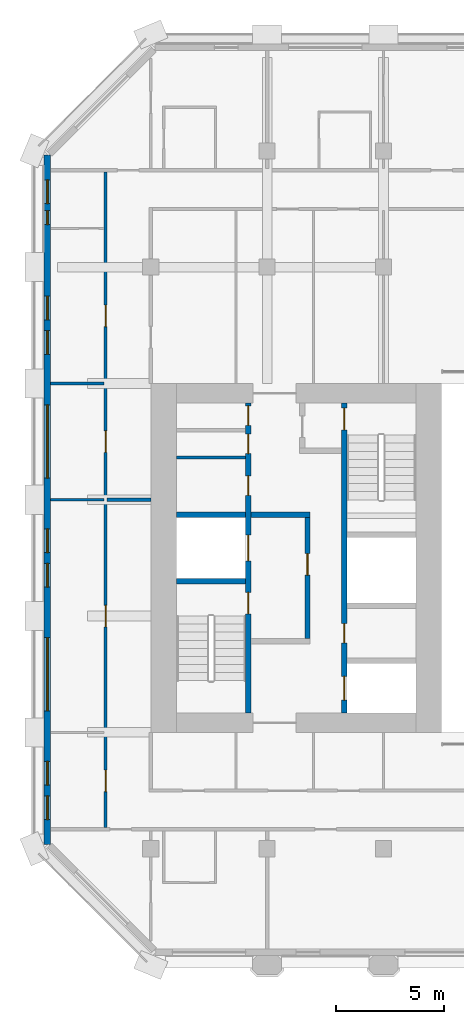
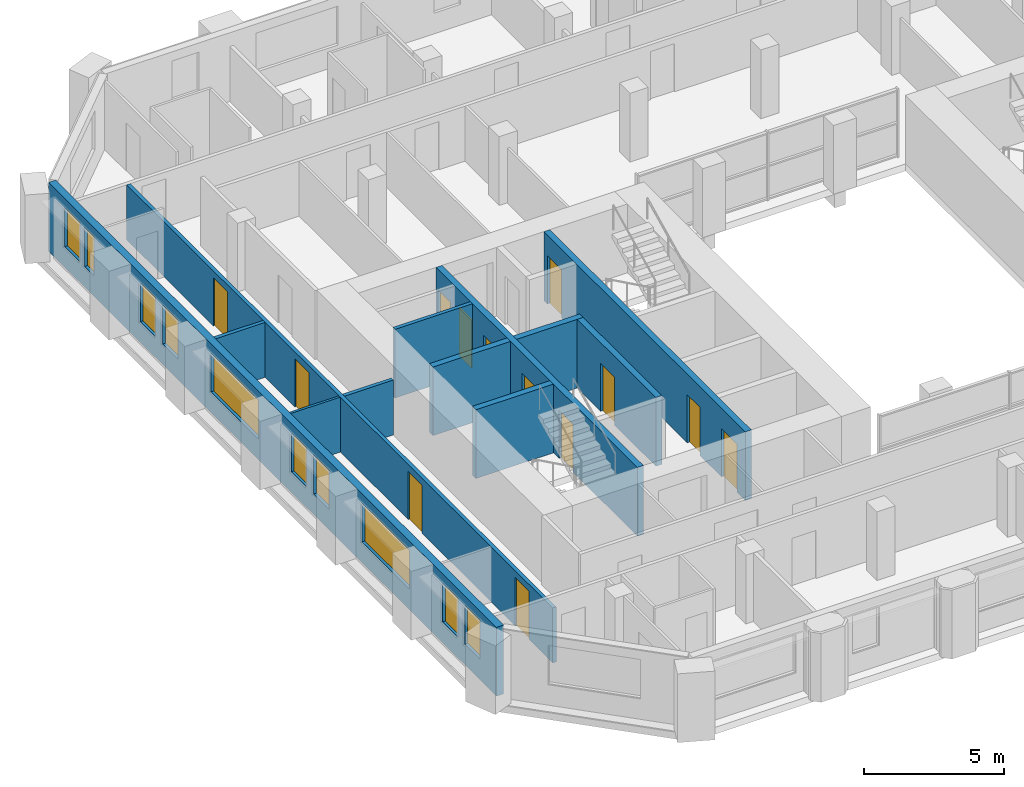
# One storey, part 7 of 14: 13 doors, 12 walls, 10 windows, 23 openings.
"""IFC4 building model written with IfcOpenShell, lengths in metres."""

from ifc_helpers import new_model, si_unit, direction, frame, frame_2d, origin, place, context, subcontext, project, spatial, rectangle, extrude, material, layer, layer_set, type_object, element, fill, save


model = new_model("IFC4")

# Units and contexts
model_context = context("Model", 3, precision=1e-05, world=origin(), true_north=direction((0.0, 1.0)))
body_context = subcontext(model_context, "Body", "Model", "MODEL_VIEW")
ifc_project = project(units=[si_unit("LENGTHUNIT", "METRE"), si_unit("AREAUNIT", "SQUARE_METRE"), si_unit("VOLUMEUNIT", "CUBIC_METRE"), si_unit("PLANEANGLEUNIT", "RADIAN"), si_unit("MASSUNIT", "GRAM", prefix="KILO")], contexts=[model_context])

# Site, building, storey
site_placement = place(None, origin())
site = spatial("IfcSite", under=ifc_project, at=site_placement, CompositionType="ELEMENT")
building_placement = place(site_placement, origin())
building = spatial("IfcBuilding", under=site, at=building_placement, Name="Tabaq Tower and Sports Hall", CompositionType="ELEMENT")
storey_placement = place(building_placement, frame((0.0, 0.0, 226.89990234375)))
storey = spatial("IfcBuildingStorey", under=building, at=storey_placement, Name="L57", CompositionType="ELEMENT", Elevation=226.89990234375)

# Walls
ifc_material_1 = material(Name="Blockwork", Category="masonry")
ifc_layer_1 = layer(ifc_material_1, 0.14990234375)
ifc_layer_set_1 = layer_set([ifc_layer_1], Name="Core room partition 150 Blockwork")
wall_type_1 = type_object("IfcWallType", Name="Core room partition 150 Blockwork", PredefinedType="PARTITIONING", material=ifc_layer_set_1)
wall_1_placement = place(storey_placement, frame((6.60009765625, 28.962890625, 0.0), z_axis=(0.0, 0.0, 1.0), x_axis=(1.0, 0.0, 0.0)))
element("IfcWall", 1, at=wall_1_placement, inside=storey, type_object=wall_type_1, Name="Core room partition W L57", PredefinedType="PARTITIONING", context=body_context, shape_type="SweptSolid", body=[
    extrude(rectangle(XDim=3.199951171875, YDim=0.14990234375, at=frame_2d((1.60009765625, 0.0))), origin(), (0.0, 0.0, 1.0), 3.0),
])
ifc_material_2 = material(Name="Gypsum board on steel studs", Category="steel")
ifc_layer_2 = layer(ifc_material_2, 0.10009765625)
ifc_layer_set_2 = layer_set([ifc_layer_2], Name="Partition 100 Gypsum board")
wall_type_2 = type_object("IfcWallType", Name="Partition 100 Gypsum board", PredefinedType="PARTITIONING", material=ifc_layer_set_2)
wall_2_placement = place(storey_placement, frame((0.7509765625, 27.0, 0.0), z_axis=(0.0, 0.0, 1.0), x_axis=(1.0, 0.0, 0.0)))
element("IfcWall", 2, at=wall_2_placement, inside=storey, type_object=wall_type_2, Name="Partition wall L57", PredefinedType="PARTITIONING", context=body_context, shape_type="SweptSolid", body=[
    extrude(rectangle(XDim=2.47412109375, YDim=0.10009765625, at=frame_2d((1.237060546875, 0.0))), origin(), (0.0, 0.0, 1.0), 2.400146484375),
])
ifc_material_3 = material(Name="Blockwork", Category="masonry")
ifc_layer_3 = layer(ifc_material_3, 0.14990234375)
ifc_layer_set_3 = layer_set([ifc_layer_3], Name="Separating wall 150 Blockwork")
wall_type_3 = type_object("IfcWallType", Name="Separating wall 150 Blockwork", PredefinedType="PARTITIONING", material=ifc_layer_set_3)
wall_3_placement = place(storey_placement, frame((0.7509765625, 32.39990234375, 0.0), z_axis=(0.0, 0.0, 1.0), x_axis=(1.0, 0.0, 0.0)))
element("IfcWall", 3, at=wall_3_placement, inside=storey, type_object=wall_type_3, Name="Separating wall L57", PredefinedType="PARTITIONING", context=body_context, shape_type="SweptSolid", body=[
    extrude(rectangle(XDim=2.47412109375, YDim=0.14990234375, at=frame_2d((1.237060546875, 0.0))), origin(), (0.0, 0.0, 1.0), 2.400146484375),
])
wall_4_placement = place(storey_placement, frame((3.375, 27.0, 0.0), z_axis=(0.0, 0.0, 1.0), x_axis=(1.0, 0.0, 0.0)))
element("IfcWall", 4, at=wall_4_placement, inside=storey, type_object=wall_type_3, Name="Separating wall L57", PredefinedType="PARTITIONING", context=body_context, shape_type="SweptSolid", body=[
    extrude(rectangle(XDim=2.02490234375, YDim=0.14990234375, at=frame_2d((1.012451171875, 0.0))), origin(), (0.0, 0.0, 1.0), 2.400146484375),
])

# Wall, openings, doors
wall_5_placement = place(storey_placement, frame((3.300048828125, 11.77490234375, 0.0), z_axis=(0.0, 0.0, 1.0), x_axis=(0.0, 1.0, 0.0)))
wall_5 = element("IfcWall", 5, at=wall_5_placement, inside=storey, type_object=wall_type_3, Name="Separating wall L57", PredefinedType="PARTITIONING", context=body_context, shape_type="SweptSolid", body=[
    extrude(rectangle(XDim=30.4501953125, YDim=0.14990234375, at=frame_2d((15.22509765625, 0.0))), origin(), (0.0, 0.0, 1.0), 2.400146484375),
])
opening_1_placement = place(wall_5_placement, frame((17.425048828125, 0.0, 0.0)))
opening_1 = element("IfcOpeningElement", 6, at=opening_1_placement, cuts=wall_5, Name="Opening L57-008", PredefinedType="OPENING", context=body_context, shape_type="SweptSolid", body=[
    extrude(rectangle(XDim=1.0, YDim=2.10009765625, at=frame_2d((0.5, 1.050048828125))), frame((0.0, 0.074951171875, 0.0), z_axis=(0.0, -1.0, 0.0), x_axis=(1.0, 0.0, 0.0)), (0.0, 0.0, 1.0), 0.14990234375),
])
opening_2_placement = place(wall_5_placement, frame((1.675048828125, 0.0, 0.0)))
opening_2 = element("IfcOpeningElement", 7, at=opening_2_placement, cuts=wall_5, Name="Opening L57-013", PredefinedType="OPENING", context=body_context, shape_type="SweptSolid", body=[
    extrude(rectangle(XDim=1.0, YDim=2.10009765625, at=frame_2d((0.5, 1.050048828125))), frame((0.0, 0.074951171875, 0.0), z_axis=(0.0, -1.0, 0.0), x_axis=(1.0, 0.0, 0.0)), (0.0, 0.0, 1.0), 0.14990234375),
])
opening_3_placement = place(wall_5_placement, frame((9.324951171875, 0.0, 0.0)))
opening_3 = element("IfcOpeningElement", 8, at=opening_3_placement, cuts=wall_5, Name="Opening L57-019", PredefinedType="OPENING", context=body_context, shape_type="SweptSolid", body=[
    extrude(rectangle(XDim=1.0, YDim=2.10009765625, at=frame_2d((0.5, 1.050048828125))), frame((0.0, 0.074951171875, 0.0), z_axis=(0.0, -1.0, 0.0), x_axis=(1.0, 0.0, 0.0)), (0.0, 0.0, 1.0), 0.14990234375),
])
opening_4_placement = place(wall_5_placement, frame((23.258056640625, 0.0, 0.0)))
opening_4 = element("IfcOpeningElement", 9, at=opening_4_placement, cuts=wall_5, Name="Opening L57-024", PredefinedType="OPENING", context=body_context, shape_type="SweptSolid", body=[
    extrude(rectangle(XDim=1.0, YDim=2.10009765625, at=frame_2d((0.5, 1.050048828125))), frame((0.0, 0.074951171875, 0.0), z_axis=(0.0, -1.0, 0.0), x_axis=(1.0, 0.0, 0.0)), (0.0, 0.0, 1.0), 0.14990234375),
])
ifc_material_4 = material(Name="Steel fire door", Category="steel")
door_type_1 = type_object("IfcDoorType", Name="Entrance door 1000 right hand", OperationType="SINGLE_SWING_RIGHT", PredefinedType="DOOR", material=ifc_material_4)
door_1_placement = place(opening_4_placement, origin())
door_1 = element("IfcDoor", 10, at=door_1_placement, inside=storey, type_object=door_type_1, Name="Entrance door L57-024", OperationType="SINGLE_SWING_RIGHT", OverallHeight=2.10009765625, OverallWidth=1.0, PredefinedType="DOOR", context=body_context, shape_type="SweptSolid", body=[
    extrude(rectangle(XDim=1.0, YDim=2.10009765625, at=frame_2d((0.5, 1.050048828125))), frame((0.0, 0.02490234375, 0.0), z_axis=(0.0, -1.0, 0.0), x_axis=(1.0, 0.0, 0.0)), (0.0, 0.0, 1.0), 0.050048828125),
])
fill(opening_4, door_1)
ifc_material_5 = material(Name="Timber leaf in steel frame", Category="steel")
door_type_2 = type_object("IfcDoorType", Name="Internal door 1000 left hand", OperationType="SINGLE_SWING_LEFT", PredefinedType="DOOR", material=ifc_material_5)
door_2_placement = place(opening_2_placement, origin())
door_2 = element("IfcDoor", 11, at=door_2_placement, inside=storey, type_object=door_type_2, Name="Internal door L57-013", OperationType="SINGLE_SWING_LEFT", OverallHeight=2.10009765625, OverallWidth=1.0, PredefinedType="DOOR", context=body_context, shape_type="SweptSolid", body=[
    extrude(rectangle(XDim=1.0, YDim=2.10009765625, at=frame_2d((0.5, 1.050048828125))), frame((0.0, 0.02490234375, 0.0), z_axis=(0.0, -1.0, 0.0), x_axis=(1.0, 0.0, 0.0)), (0.0, 0.0, 1.0), 0.050048828125),
])
fill(opening_2, door_2)
ifc_material_6 = material(Name="Timber leaf in steel frame", Category="steel")
door_type_3 = type_object("IfcDoorType", Name="Internal door 1000 right hand", OperationType="SINGLE_SWING_RIGHT", PredefinedType="DOOR", material=ifc_material_6)
door_3_placement = place(opening_1_placement, origin())
door_3 = element("IfcDoor", 12, at=door_3_placement, inside=storey, type_object=door_type_3, Name="Internal door L57-008", OperationType="SINGLE_SWING_RIGHT", OverallHeight=2.10009765625, OverallWidth=1.0, PredefinedType="DOOR", context=body_context, shape_type="SweptSolid", body=[
    extrude(rectangle(XDim=1.0, YDim=2.10009765625, at=frame_2d((0.5, 1.050048828125))), frame((0.0, 0.02490234375, 0.0), z_axis=(0.0, -1.0, 0.0), x_axis=(1.0, 0.0, 0.0)), (0.0, 0.0, 1.0), 0.050048828125),
])
fill(opening_1, door_3)
door_4_placement = place(opening_3_placement, origin())
door_4 = element("IfcDoor", 13, at=door_4_placement, inside=storey, type_object=door_type_3, Name="Internal door L57-019", OperationType="SINGLE_SWING_RIGHT", OverallHeight=2.10009765625, OverallWidth=1.0, PredefinedType="DOOR", context=body_context, shape_type="SweptSolid", body=[
    extrude(rectangle(XDim=1.0, YDim=2.10009765625, at=frame_2d((0.5, 1.050048828125))), frame((0.0, 0.02490234375, 0.0), z_axis=(0.0, -1.0, 0.0), x_axis=(1.0, 0.0, 0.0)), (0.0, 0.0, 1.0), 0.050048828125),
])
fill(opening_3, door_4)

ifc_material_7 = material(Name="Concrete C40/50", Category="concrete")
ifc_layer_4 = layer(ifc_material_7, 0.25)
ifc_layer_set_4 = layer_set([ifc_layer_4], Name="Shaft and stair wall 250 Concrete C40/50")
wall_type_4 = type_object("IfcWallType", Name="Shaft and stair wall 250 Concrete C40/50", PredefinedType="SOLIDWALL", material=ifc_layer_set_4)
wall_6_placement = place(storey_placement, frame((9.925048828125, 17.10009765625, 0.0), z_axis=(0.0, 0.0, 1.0), x_axis=(0.0, 1.0, 0.0)))
wall_6 = element("IfcWall", 14, at=wall_6_placement, inside=storey, type_object=wall_type_4, Name="Shaft wall W L57", PredefinedType="SOLIDWALL", context=body_context, shape_type="SweptSolid", body=[
    extrude(rectangle(XDim=14.39990234375, YDim=0.25, at=frame_2d((7.199951171875, 0.0))), origin(), (0.0, 0.0, 1.0), 3.0),
])
opening_5_placement = place(wall_6_placement, frame((4.60009765625, 0.0, 0.0)))
opening_5 = element("IfcOpeningElement", 15, at=opening_5_placement, cuts=wall_6, Name="Opening SD-WL57-03", PredefinedType="OPENING", context=body_context, shape_type="SweptSolid", body=[
    extrude(rectangle(XDim=1.0, YDim=2.10009765625, at=frame_2d((0.5, 1.050048828125))), frame((0.0, 0.125, 0.0), z_axis=(0.0, -1.0, 0.0), x_axis=(1.0, 0.0, 0.0)), (0.0, 0.0, 1.0), 0.25),
])
opening_6_placement = place(wall_6_placement, frame((7.0625, 0.0, 0.0)))
opening_6 = element("IfcOpeningElement", 16, at=opening_6_placement, cuts=wall_6, Name="Opening LD-FF1-L57", PredefinedType="OPENING", context=body_context, shape_type="SweptSolid", body=[
    extrude(rectangle(XDim=1.199951171875, YDim=2.10009765625, at=frame_2d((0.60009765625, 1.050048828125))), frame((0.0, 0.125, 0.0), z_axis=(0.0, -1.0, 0.0), x_axis=(1.0, 0.0, 0.0)), (0.0, 0.0, 1.0), 0.25),
])
opening_7_placement = place(wall_6_placement, frame((10.1064453125, 0.0, 0.0)))
opening_7 = element("IfcOpeningElement", 17, at=opening_7_placement, cuts=wall_6, Name="Opening RD-WL57-09", PredefinedType="OPENING", context=body_context, shape_type="SweptSolid", body=[
    extrude(rectangle(XDim=0.89990234375, YDim=2.10009765625, at=frame_2d((0.449951171875, 1.050048828125))), frame((0.0, 0.125, 0.0), z_axis=(0.0, -1.0, 0.0), x_axis=(1.0, 0.0, 0.0)), (0.0, 0.0, 1.0), 0.25),
])
opening_8_placement = place(wall_6_placement, frame((12.047607421875, 0.0, 0.0)))
opening_8 = element("IfcOpeningElement", 18, at=opening_8_placement, cuts=wall_6, Name="Opening RD-WL57-10", PredefinedType="OPENING", context=body_context, shape_type="SweptSolid", body=[
    extrude(rectangle(XDim=0.89990234375, YDim=2.10009765625, at=frame_2d((0.449951171875, 1.050048828125))), frame((0.0, 0.125, 0.0), z_axis=(0.0, -1.0, 0.0), x_axis=(1.0, 0.0, 0.0)), (0.0, 0.0, 1.0), 0.25),
])
opening_9_placement = place(wall_6_placement, frame((13.353515625, 0.0, 0.0)))
opening_9 = element("IfcOpeningElement", 19, at=opening_9_placement, cuts=wall_6, Name="Opening RD-WL57-11", PredefinedType="OPENING", context=body_context, shape_type="SweptSolid", body=[
    extrude(rectangle(XDim=0.89990234375, YDim=2.10009765625, at=frame_2d((0.449951171875, 1.050048828125))), frame((0.0, 0.125, 0.0), z_axis=(0.0, -1.0, 0.0), x_axis=(1.0, 0.0, 0.0)), (0.0, 0.0, 1.0), 0.25),
])
ifc_material_8 = material(Name="Steel fire door", Category="steel")
door_type_4 = type_object("IfcDoorType", Name="Core room door 900", OperationType="SINGLE_SWING_LEFT", PredefinedType="DOOR", material=ifc_material_8)
door_5_placement = place(opening_7_placement, origin())
door_5 = element("IfcDoor", 20, at=door_5_placement, inside=storey, type_object=door_type_4, Name="Door Unisex WC W L57", OperationType="SINGLE_SWING_LEFT", OverallHeight=2.10009765625, OverallWidth=0.89990234375, PredefinedType="DOOR", context=body_context, shape_type="SweptSolid", body=[
    extrude(rectangle(XDim=0.89990234375, YDim=2.10009765625, at=frame_2d((0.449951171875, 1.050048828125))), frame((0.0, 0.02490234375, 0.0), z_axis=(0.0, -1.0, 0.0), x_axis=(1.0, 0.0, 0.0)), (0.0, 0.0, 1.0), 0.050048828125),
])
fill(opening_7, door_5)
door_6_placement = place(opening_8_placement, origin())
door_6 = element("IfcDoor", 21, at=door_6_placement, inside=storey, type_object=door_type_4, Name="Door Cleaner's Store W L57", OperationType="SINGLE_SWING_LEFT", OverallHeight=2.10009765625, OverallWidth=0.89990234375, PredefinedType="DOOR", context=body_context, shape_type="SweptSolid", body=[
    extrude(rectangle(XDim=0.89990234375, YDim=2.10009765625, at=frame_2d((0.449951171875, 1.050048828125))), frame((0.0, 0.02490234375, 0.0), z_axis=(0.0, -1.0, 0.0), x_axis=(1.0, 0.0, 0.0)), (0.0, 0.0, 1.0), 0.050048828125),
])
fill(opening_8, door_6)
door_7_placement = place(opening_9_placement, origin())
door_7 = element("IfcDoor", 22, at=door_7_placement, inside=storey, type_object=door_type_4, Name="Door Accessible WC W L57", OperationType="SINGLE_SWING_LEFT", OverallHeight=2.10009765625, OverallWidth=0.89990234375, PredefinedType="DOOR", context=body_context, shape_type="SweptSolid", body=[
    extrude(rectangle(XDim=0.89990234375, YDim=2.10009765625, at=frame_2d((0.449951171875, 1.050048828125))), frame((0.0, 0.02490234375, 0.0), z_axis=(0.0, -1.0, 0.0), x_axis=(1.0, 0.0, 0.0)), (0.0, 0.0, 1.0), 0.050048828125),
])
fill(opening_9, door_7)
ifc_material_9 = material(Name="Stainless steel", Category="steel")
door_type_5 = type_object("IfcDoorType", Name="Lift landing door 1200", OperationType="DOUBLE_DOOR_SLIDING", PredefinedType="DOOR", material=ifc_material_9)
door_8_placement = place(opening_6_placement, origin())
door_8 = element("IfcDoor", 23, at=door_8_placement, inside=storey, type_object=door_type_5, Name="Lift landing door FF1 W L57", OperationType="DOUBLE_DOOR_SLIDING", OverallHeight=2.10009765625, OverallWidth=1.199951171875, PredefinedType="DOOR", context=body_context, shape_type="SweptSolid", body=[
    extrude(rectangle(XDim=1.199951171875, YDim=2.10009765625, at=frame_2d((0.60009765625, 1.050048828125))), frame((0.0, 0.02490234375, 0.0), z_axis=(0.0, -1.0, 0.0), x_axis=(1.0, 0.0, 0.0)), (0.0, 0.0, 1.0), 0.050048828125),
])
fill(opening_6, door_8)
ifc_material_10 = material(Name="Steel fire door", Category="steel")
door_type_6 = type_object("IfcDoorType", Name="Stair door 1000", OperationType="SINGLE_SWING_LEFT", PredefinedType="DOOR", material=ifc_material_10)
door_9_placement = place(opening_5_placement, origin())
door_9 = element("IfcDoor", 24, at=door_9_placement, inside=storey, type_object=door_type_6, Name="Stair door ST1 W L57", OperationType="SINGLE_SWING_LEFT", OverallHeight=2.10009765625, OverallWidth=1.0, PredefinedType="DOOR", context=body_context, shape_type="SweptSolid", body=[
    extrude(rectangle(XDim=1.0, YDim=2.10009765625, at=frame_2d((0.5, 1.050048828125))), frame((0.0, 0.02490234375, 0.0), z_axis=(0.0, -1.0, 0.0), x_axis=(1.0, 0.0, 0.0)), (0.0, 0.0, 1.0), 0.050048828125),
])
fill(opening_5, door_9)

wall_7_placement = place(storey_placement, frame((14.375, 17.10009765625, 0.0), z_axis=(0.0, 0.0, 1.0), x_axis=(0.0, 1.0, 0.0)))
wall_7 = element("IfcWall", 25, at=wall_7_placement, inside=storey, type_object=wall_type_4, Name="Shaft wall W L57", PredefinedType="SOLIDWALL", context=body_context, shape_type="SweptSolid", body=[
    extrude(rectangle(XDim=14.39990234375, YDim=0.25, at=frame_2d((7.199951171875, 0.0))), origin(), (0.0, 0.0, 1.0), 3.0),
])
opening_10_placement = place(wall_7_placement, frame((13.14990234375, 0.0, 0.0)))
opening_10 = element("IfcOpeningElement", 26, at=opening_10_placement, cuts=wall_7, Name="Opening SD-WL57-05", PredefinedType="OPENING", context=body_context, shape_type="SweptSolid", body=[
    extrude(rectangle(XDim=1.0, YDim=2.10009765625, at=frame_2d((0.5, 1.050048828125))), frame((0.0, 0.125, 0.0), z_axis=(0.0, -1.0, 0.0), x_axis=(1.0, 0.0, 0.0)), (0.0, 0.0, 1.0), 0.25),
])
opening_11_placement = place(wall_7_placement, frame((0.60009765625, 0.0, 0.0)))
opening_11 = element("IfcOpeningElement", 27, at=opening_11_placement, cuts=wall_7, Name="Opening LD-MR1-L57", PredefinedType="OPENING", context=body_context, shape_type="SweptSolid", body=[
    extrude(rectangle(XDim=1.10009765625, YDim=2.10009765625, at=frame_2d((0.550048828125, 1.050048828125))), frame((0.0, 0.125, 0.0), z_axis=(0.0, -1.0, 0.0), x_axis=(1.0, 0.0, 0.0)), (0.0, 0.0, 1.0), 0.25),
])
opening_12_placement = place(wall_7_placement, frame((3.25, 0.0, 0.0)))
opening_12 = element("IfcOpeningElement", 28, at=opening_12_placement, cuts=wall_7, Name="Opening RD-WL57-12", PredefinedType="OPENING", context=body_context, shape_type="SweptSolid", body=[
    extrude(rectangle(XDim=0.89990234375, YDim=2.10009765625, at=frame_2d((0.449951171875, 1.050048828125))), frame((0.0, 0.125, 0.0), z_axis=(0.0, -1.0, 0.0), x_axis=(1.0, 0.0, 0.0)), (0.0, 0.0, 1.0), 0.25),
])
door_10_placement = place(opening_12_placement, origin())
door_10 = element("IfcDoor", 29, at=door_10_placement, inside=storey, type_object=door_type_4, Name="Door Cleaner's Store W L57", OperationType="SINGLE_SWING_LEFT", OverallHeight=2.10009765625, OverallWidth=0.89990234375, PredefinedType="DOOR", context=body_context, shape_type="SweptSolid", body=[
    extrude(rectangle(XDim=0.89990234375, YDim=2.10009765625, at=frame_2d((0.449951171875, 1.050048828125))), frame((0.0, 0.02490234375, 0.0), z_axis=(0.0, -1.0, 0.0), x_axis=(1.0, 0.0, 0.0)), (0.0, 0.0, 1.0), 0.050048828125),
])
fill(opening_12, door_10)
ifc_material_11 = material(Name="Stainless steel", Category="steel")
door_type_7 = type_object("IfcDoorType", Name="Lift landing door 1100", OperationType="DOUBLE_DOOR_SLIDING", PredefinedType="DOOR", material=ifc_material_11)
door_11_placement = place(opening_11_placement, origin())
door_11 = element("IfcDoor", 30, at=door_11_placement, inside=storey, type_object=door_type_7, Name="Lift landing door MR1 W L57", OperationType="DOUBLE_DOOR_SLIDING", OverallHeight=2.10009765625, OverallWidth=1.10009765625, PredefinedType="DOOR", context=body_context, shape_type="SweptSolid", body=[
    extrude(rectangle(XDim=1.10009765625, YDim=2.10009765625, at=frame_2d((0.550048828125, 1.050048828125))), frame((0.0, 0.02490234375, 0.0), z_axis=(0.0, -1.0, 0.0), x_axis=(1.0, 0.0, 0.0)), (0.0, 0.0, 1.0), 0.050048828125),
])
fill(opening_11, door_11)
door_12_placement = place(opening_10_placement, origin())
door_12 = element("IfcDoor", 31, at=door_12_placement, inside=storey, type_object=door_type_6, Name="Stair door ST2 W L57", OperationType="SINGLE_SWING_LEFT", OverallHeight=2.10009765625, OverallWidth=1.0, PredefinedType="DOOR", context=body_context, shape_type="SweptSolid", body=[
    extrude(rectangle(XDim=1.0, YDim=2.10009765625, at=frame_2d((0.5, 1.050048828125))), frame((0.0, 0.02490234375, 0.0), z_axis=(0.0, -1.0, 0.0), x_axis=(1.0, 0.0, 0.0)), (0.0, 0.0, 1.0), 0.050048828125),
])
fill(opening_10, door_12)

# Walls
for number, where, z_axis, x_axis, name in (
    (32, (6.60009765625, 23.22509765625, 0.0), (0.0, 0.0, 1.0), (1.0, 0.0, 0.0), "Stair enclosure wall W L57"),
    (33, (6.60009765625, 26.300048828125, 0.0), (0.0, 0.0, 1.0), (1.0, 0.0, 0.0), "Shaft wall W L57"),
):
    element("IfcWall", number, at=place(storey_placement, frame(where, z_axis=z_axis, x_axis=x_axis)), inside=storey, type_object=wall_type_4, Name=name, PredefinedType="SOLIDWALL", context=body_context, shape_type="SweptSolid", body=[
        extrude(rectangle(XDim=3.199951171875, YDim=0.25, at=frame_2d((1.60009765625, 0.0))), origin(), (0.0, 0.0, 1.0), 3.0),
    ])
wall_8_placement = place(storey_placement, frame((10.050048828125, 26.300048828125, 0.0), z_axis=(0.0, 0.0, 1.0), x_axis=(1.0, 0.0, 0.0)))
element("IfcWall", 34, at=wall_8_placement, inside=storey, type_object=wall_type_4, Name="Fire-fighting lobby wall W L57", PredefinedType="SOLIDWALL", context=body_context, shape_type="SweptSolid", body=[
    extrude(rectangle(XDim=2.75, YDim=0.25, at=frame_2d((1.375, 0.0))), origin(), (0.0, 0.0, 1.0), 3.0),
])

# Wall, opening, door
wall_9_placement = place(storey_placement, frame((12.675048828125, 20.550048828125, 0.0), z_axis=(0.0, 0.0, 1.0), x_axis=(0.0, 1.0, 0.0)))
wall_9 = element("IfcWall", 35, at=wall_9_placement, inside=storey, type_object=wall_type_4, Name="Fire-fighting lobby wall W L57", PredefinedType="SOLIDWALL", context=body_context, shape_type="SweptSolid", body=[
    extrude(rectangle(XDim=5.625, YDim=0.25, at=frame_2d((2.8125, 0.0))), origin(), (0.0, 0.0, 1.0), 3.0),
])
opening_13_placement = place(wall_9_placement, frame((2.949951171875, 0.0, 0.0)))
opening_13 = element("IfcOpeningElement", 36, at=opening_13_placement, cuts=wall_9, Name="Opening FD-WL57-04", PredefinedType="OPENING", context=body_context, shape_type="SweptSolid", body=[
    extrude(rectangle(XDim=1.0, YDim=2.10009765625, at=frame_2d((0.5, 1.050048828125))), frame((0.0, 0.125, 0.0), z_axis=(0.0, -1.0, 0.0), x_axis=(1.0, 0.0, 0.0)), (0.0, 0.0, 1.0), 0.25),
])
ifc_material_12 = material(Name="Steel fire door", Category="steel")
door_type_8 = type_object("IfcDoorType", Name="Fire-fighting lobby door 1000", OperationType="SINGLE_SWING_LEFT", PredefinedType="DOOR", material=ifc_material_12)
door_13_placement = place(opening_13_placement, origin())
door_13 = element("IfcDoor", 37, at=door_13_placement, inside=storey, type_object=door_type_8, Name="Fire-fighting lobby door W L57", OperationType="SINGLE_SWING_LEFT", OverallHeight=2.10009765625, OverallWidth=1.0, PredefinedType="DOOR", context=body_context, shape_type="SweptSolid", body=[
    extrude(rectangle(XDim=1.0, YDim=2.10009765625, at=frame_2d((0.5, 1.050048828125))), frame((0.0, 0.02490234375, 0.0), z_axis=(0.0, -1.0, 0.0), x_axis=(1.0, 0.0, 0.0)), (0.0, 0.0, 1.0), 0.050048828125),
])
fill(opening_13, door_13)

# Wall, openings, windows
ifc_material_13 = material(Name="White precast concrete C60/75", Category="concrete")
ifc_layer_5 = layer(ifc_material_13, 0.300048828125)
ifc_layer_set_5 = layer_set([ifc_layer_5], Name="White precast concrete C60/75 external wall 300")
wall_type_5 = type_object("IfcWallType", Name="White precast concrete C60/75 external wall 300", PredefinedType="SOLIDWALL", material=ifc_layer_set_5)
wall_10_placement = place(storey_placement, frame((0.60009765625, 43.013671875, 0.0), z_axis=(0.0, 0.0, 1.0), x_axis=(0.0, -1.0, 0.0)))
wall_10 = element("IfcWall", 38, at=wall_10_placement, inside=storey, type_object=wall_type_5, Name="External Wall L57 W", PredefinedType="SOLIDWALL", context=body_context, shape_type="SweptSolid", body=[
    extrude(rectangle(XDim=32.02734375, YDim=0.300048828125, at=frame_2d((16.013671875, 0.0))), origin(), (0.0, 0.0, 1.0), 3.0),
])
opening_14_placement = place(wall_10_placement, frame((1.16357421875, 0.0, 0.89990234375)))
opening_14 = element("IfcOpeningElement", 39, at=opening_14_placement, cuts=wall_10, Name="Opening W1B", PredefinedType="OPENING", context=body_context, shape_type="SweptSolid", body=[
    extrude(rectangle(XDim=1.10009765625, YDim=1.699951171875, at=frame_2d((0.550048828125, 0.85009765625))), frame((0.0, 0.16015625, 0.0), z_axis=(0.0, -1.0, 0.0), x_axis=(1.0, 0.0, 0.0)), (0.0, 0.0, 1.0), 0.320068359375),
])
opening_15_placement = place(wall_10_placement, frame((2.588623046875, 0.0, 0.89990234375)))
opening_15 = element("IfcOpeningElement", 40, at=opening_15_placement, cuts=wall_10, Name="Opening W1C", PredefinedType="OPENING", context=body_context, shape_type="SweptSolid", body=[
    extrude(rectangle(XDim=0.64990234375, YDim=1.699951171875, at=frame_2d((0.324951171875, 0.85009765625))), frame((0.0, 0.16015625, 0.0), z_axis=(0.0, -1.0, 0.0), x_axis=(1.0, 0.0, 0.0)), (0.0, 0.0, 1.0), 0.320068359375),
])
opening_16_placement = place(wall_10_placement, frame((6.563720703125, 0.0, 0.89990234375)))
opening_16 = element("IfcOpeningElement", 41, at=opening_16_placement, cuts=wall_10, Name="Opening W1B", PredefinedType="OPENING", context=body_context, shape_type="SweptSolid", body=[
    extrude(rectangle(XDim=1.10009765625, YDim=1.699951171875, at=frame_2d((0.550048828125, 0.85009765625))), frame((0.0, 0.16015625, 0.0), z_axis=(0.0, -1.0, 0.0), x_axis=(1.0, 0.0, 0.0)), (0.0, 0.0, 1.0), 0.320068359375),
])
opening_17_placement = place(wall_10_placement, frame((8.16357421875, 0.0, 0.89990234375)))
opening_17 = element("IfcOpeningElement", 42, at=opening_17_placement, cuts=wall_10, Name="Opening W1B", PredefinedType="OPENING", context=body_context, shape_type="SweptSolid", body=[
    extrude(rectangle(XDim=1.10009765625, YDim=1.699951171875, at=frame_2d((0.550048828125, 0.85009765625))), frame((0.0, 0.16015625, 0.0), z_axis=(0.0, -1.0, 0.0), x_axis=(1.0, 0.0, 0.0)), (0.0, 0.0, 1.0), 0.320068359375),
])
opening_18_placement = place(wall_10_placement, frame((11.613525390625, 0.0, 0.89990234375)))
opening_18 = element("IfcOpeningElement", 43, at=opening_18_placement, cuts=wall_10, Name="Opening W1A", PredefinedType="OPENING", context=body_context, shape_type="SweptSolid", body=[
    extrude(rectangle(XDim=3.39990234375, YDim=1.699951171875, at=frame_2d((1.699951171875, 0.85009765625))), frame((0.0, 0.16015625, 0.0), z_axis=(0.0, -1.0, 0.0), x_axis=(1.0, 0.0, 0.0)), (0.0, 0.0, 1.0), 0.320068359375),
])
opening_19_placement = place(wall_10_placement, frame((17.363525390625, 0.0, 0.89990234375)))
opening_19 = element("IfcOpeningElement", 44, at=opening_19_placement, cuts=wall_10, Name="Opening W1B", PredefinedType="OPENING", context=body_context, shape_type="SweptSolid", body=[
    extrude(rectangle(XDim=1.10009765625, YDim=1.699951171875, at=frame_2d((0.550048828125, 0.85009765625))), frame((0.0, 0.16015625, 0.0), z_axis=(0.0, -1.0, 0.0), x_axis=(1.0, 0.0, 0.0)), (0.0, 0.0, 1.0), 0.320068359375),
])
opening_20_placement = place(wall_10_placement, frame((18.963623046875, 0.0, 0.89990234375)))
opening_20 = element("IfcOpeningElement", 45, at=opening_20_placement, cuts=wall_10, Name="Opening W1B", PredefinedType="OPENING", context=body_context, shape_type="SweptSolid", body=[
    extrude(rectangle(XDim=1.10009765625, YDim=1.699951171875, at=frame_2d((0.550048828125, 0.85009765625))), frame((0.0, 0.16015625, 0.0), z_axis=(0.0, -1.0, 0.0), x_axis=(1.0, 0.0, 0.0)), (0.0, 0.0, 1.0), 0.320068359375),
])
opening_21_placement = place(wall_10_placement, frame((22.41357421875, 0.0, 0.89990234375)))
opening_21 = element("IfcOpeningElement", 46, at=opening_21_placement, cuts=wall_10, Name="Opening W1A", PredefinedType="OPENING", context=body_context, shape_type="SweptSolid", body=[
    extrude(rectangle(XDim=3.39990234375, YDim=1.699951171875, at=frame_2d((1.699951171875, 0.85009765625))), frame((0.0, 0.16015625, 0.0), z_axis=(0.0, -1.0, 0.0), x_axis=(1.0, 0.0, 0.0)), (0.0, 0.0, 1.0), 0.320068359375),
])
opening_22_placement = place(wall_10_placement, frame((28.16357421875, 0.0, 0.89990234375)))
opening_22 = element("IfcOpeningElement", 47, at=opening_22_placement, cuts=wall_10, Name="Opening W1B", PredefinedType="OPENING", context=body_context, shape_type="SweptSolid", body=[
    extrude(rectangle(XDim=1.10009765625, YDim=1.699951171875, at=frame_2d((0.550048828125, 0.85009765625))), frame((0.0, 0.16015625, 0.0), z_axis=(0.0, -1.0, 0.0), x_axis=(1.0, 0.0, 0.0)), (0.0, 0.0, 1.0), 0.320068359375),
])
opening_23_placement = place(wall_10_placement, frame((29.763671875, 0.0, 0.89990234375)))
opening_23 = element("IfcOpeningElement", 48, at=opening_23_placement, cuts=wall_10, Name="Opening W1B", PredefinedType="OPENING", context=body_context, shape_type="SweptSolid", body=[
    extrude(rectangle(XDim=1.10009765625, YDim=1.699951171875, at=frame_2d((0.550048828125, 0.85009765625))), frame((0.0, 0.16015625, 0.0), z_axis=(0.0, -1.0, 0.0), x_axis=(1.0, 0.0, 0.0)), (0.0, 0.0, 1.0), 0.320068359375),
])
ifc_material_14 = material(Name="Aluminium framed clear glazing", Category="aluminium")
window_type_1 = type_object("IfcWindowType", Name="Window W1A", PartitioningType="SINGLE_PANEL", PredefinedType="WINDOW", material=ifc_material_14)
window_1_placement = place(opening_18_placement, origin())
window_1 = element("IfcWindow", 49, at=window_1_placement, inside=storey, type_object=window_type_1, Name="Window W1A L57", OverallHeight=1.699951171875, OverallWidth=3.39990234375, PartitioningType="SINGLE_PANEL", PredefinedType="WINDOW", context=body_context, shape_type="SweptSolid", body=[
    extrude(rectangle(XDim=3.39990234375, YDim=1.699951171875, at=frame_2d((1.699951171875, 0.85009765625))), frame((0.0, 0.030029296875, 0.0), z_axis=(0.0, -1.0, 0.0), x_axis=(1.0, 0.0, 0.0)), (0.0, 0.0, 1.0), 0.06005859375),
])
fill(opening_18, window_1)
window_2_placement = place(opening_21_placement, origin())
window_2 = element("IfcWindow", 50, at=window_2_placement, inside=storey, type_object=window_type_1, Name="Window W1A L57", OverallHeight=1.699951171875, OverallWidth=3.39990234375, PartitioningType="SINGLE_PANEL", PredefinedType="WINDOW", context=body_context, shape_type="SweptSolid", body=[
    extrude(rectangle(XDim=3.39990234375, YDim=1.699951171875, at=frame_2d((1.699951171875, 0.85009765625))), frame((0.0, 0.030029296875, 0.0), z_axis=(0.0, -1.0, 0.0), x_axis=(1.0, 0.0, 0.0)), (0.0, 0.0, 1.0), 0.06005859375),
])
fill(opening_21, window_2)
ifc_material_15 = material(Name="Aluminium framed clear glazing", Category="aluminium")
window_type_2 = type_object("IfcWindowType", Name="Window W1B", PartitioningType="SINGLE_PANEL", PredefinedType="WINDOW", material=ifc_material_15)
window_3_placement = place(opening_14_placement, origin())
window_3 = element("IfcWindow", 51, at=window_3_placement, inside=storey, type_object=window_type_2, Name="Window W1B L57", OverallHeight=1.699951171875, OverallWidth=1.10009765625, PartitioningType="SINGLE_PANEL", PredefinedType="WINDOW", context=body_context, shape_type="SweptSolid", body=[
    extrude(rectangle(XDim=1.10009765625, YDim=1.699951171875, at=frame_2d((0.550048828125, 0.85009765625))), frame((0.0, 0.030029296875, 0.0), z_axis=(0.0, -1.0, 0.0), x_axis=(1.0, 0.0, 0.0)), (0.0, 0.0, 1.0), 0.06005859375),
])
fill(opening_14, window_3)
window_4_placement = place(opening_16_placement, origin())
window_4 = element("IfcWindow", 52, at=window_4_placement, inside=storey, type_object=window_type_2, Name="Window W1B L57", OverallHeight=1.699951171875, OverallWidth=1.10009765625, PartitioningType="SINGLE_PANEL", PredefinedType="WINDOW", context=body_context, shape_type="SweptSolid", body=[
    extrude(rectangle(XDim=1.10009765625, YDim=1.699951171875, at=frame_2d((0.550048828125, 0.85009765625))), frame((0.0, 0.030029296875, 0.0), z_axis=(0.0, -1.0, 0.0), x_axis=(1.0, 0.0, 0.0)), (0.0, 0.0, 1.0), 0.06005859375),
])
fill(opening_16, window_4)
window_5_placement = place(opening_17_placement, origin())
window_5 = element("IfcWindow", 53, at=window_5_placement, inside=storey, type_object=window_type_2, Name="Window W1B L57", OverallHeight=1.699951171875, OverallWidth=1.10009765625, PartitioningType="SINGLE_PANEL", PredefinedType="WINDOW", context=body_context, shape_type="SweptSolid", body=[
    extrude(rectangle(XDim=1.10009765625, YDim=1.699951171875, at=frame_2d((0.550048828125, 0.85009765625))), frame((0.0, 0.030029296875, 0.0), z_axis=(0.0, -1.0, 0.0), x_axis=(1.0, 0.0, 0.0)), (0.0, 0.0, 1.0), 0.06005859375),
])
fill(opening_17, window_5)
window_6_placement = place(opening_19_placement, origin())
window_6 = element("IfcWindow", 54, at=window_6_placement, inside=storey, type_object=window_type_2, Name="Window W1B L57", OverallHeight=1.699951171875, OverallWidth=1.10009765625, PartitioningType="SINGLE_PANEL", PredefinedType="WINDOW", context=body_context, shape_type="SweptSolid", body=[
    extrude(rectangle(XDim=1.10009765625, YDim=1.699951171875, at=frame_2d((0.550048828125, 0.85009765625))), frame((0.0, 0.030029296875, 0.0), z_axis=(0.0, -1.0, 0.0), x_axis=(1.0, 0.0, 0.0)), (0.0, 0.0, 1.0), 0.06005859375),
])
fill(opening_19, window_6)
window_7_placement = place(opening_20_placement, origin())
window_7 = element("IfcWindow", 55, at=window_7_placement, inside=storey, type_object=window_type_2, Name="Window W1B L57", OverallHeight=1.699951171875, OverallWidth=1.10009765625, PartitioningType="SINGLE_PANEL", PredefinedType="WINDOW", context=body_context, shape_type="SweptSolid", body=[
    extrude(rectangle(XDim=1.10009765625, YDim=1.699951171875, at=frame_2d((0.550048828125, 0.85009765625))), frame((0.0, 0.030029296875, 0.0), z_axis=(0.0, -1.0, 0.0), x_axis=(1.0, 0.0, 0.0)), (0.0, 0.0, 1.0), 0.06005859375),
])
fill(opening_20, window_7)
window_8_placement = place(opening_22_placement, origin())
window_8 = element("IfcWindow", 56, at=window_8_placement, inside=storey, type_object=window_type_2, Name="Window W1B L57", OverallHeight=1.699951171875, OverallWidth=1.10009765625, PartitioningType="SINGLE_PANEL", PredefinedType="WINDOW", context=body_context, shape_type="SweptSolid", body=[
    extrude(rectangle(XDim=1.10009765625, YDim=1.699951171875, at=frame_2d((0.550048828125, 0.85009765625))), frame((0.0, 0.030029296875, 0.0), z_axis=(0.0, -1.0, 0.0), x_axis=(1.0, 0.0, 0.0)), (0.0, 0.0, 1.0), 0.06005859375),
])
fill(opening_22, window_8)
window_9_placement = place(opening_23_placement, origin())
window_9 = element("IfcWindow", 57, at=window_9_placement, inside=storey, type_object=window_type_2, Name="Window W1B L57", OverallHeight=1.699951171875, OverallWidth=1.10009765625, PartitioningType="SINGLE_PANEL", PredefinedType="WINDOW", context=body_context, shape_type="SweptSolid", body=[
    extrude(rectangle(XDim=1.10009765625, YDim=1.699951171875, at=frame_2d((0.550048828125, 0.85009765625))), frame((0.0, 0.030029296875, 0.0), z_axis=(0.0, -1.0, 0.0), x_axis=(1.0, 0.0, 0.0)), (0.0, 0.0, 1.0), 0.06005859375),
])
fill(opening_23, window_9)
ifc_material_16 = material(Name="Aluminium framed clear glazing", Category="aluminium")
window_type_3 = type_object("IfcWindowType", Name="Window W1C", PartitioningType="SINGLE_PANEL", PredefinedType="WINDOW", material=ifc_material_16)
window_10_placement = place(opening_15_placement, origin())
window_10 = element("IfcWindow", 58, at=window_10_placement, inside=storey, type_object=window_type_3, Name="Window W1C L57", OverallHeight=1.699951171875, OverallWidth=0.64990234375, PartitioningType="SINGLE_PANEL", PredefinedType="WINDOW", context=body_context, shape_type="SweptSolid", body=[
    extrude(rectangle(XDim=0.64990234375, YDim=1.699951171875, at=frame_2d((0.324951171875, 0.85009765625))), frame((0.0, 0.030029296875, 0.0), z_axis=(0.0, -1.0, 0.0), x_axis=(1.0, 0.0, 0.0)), (0.0, 0.0, 1.0), 0.06005859375),
])
fill(opening_15, window_10)

save(model, "model.ifc")
